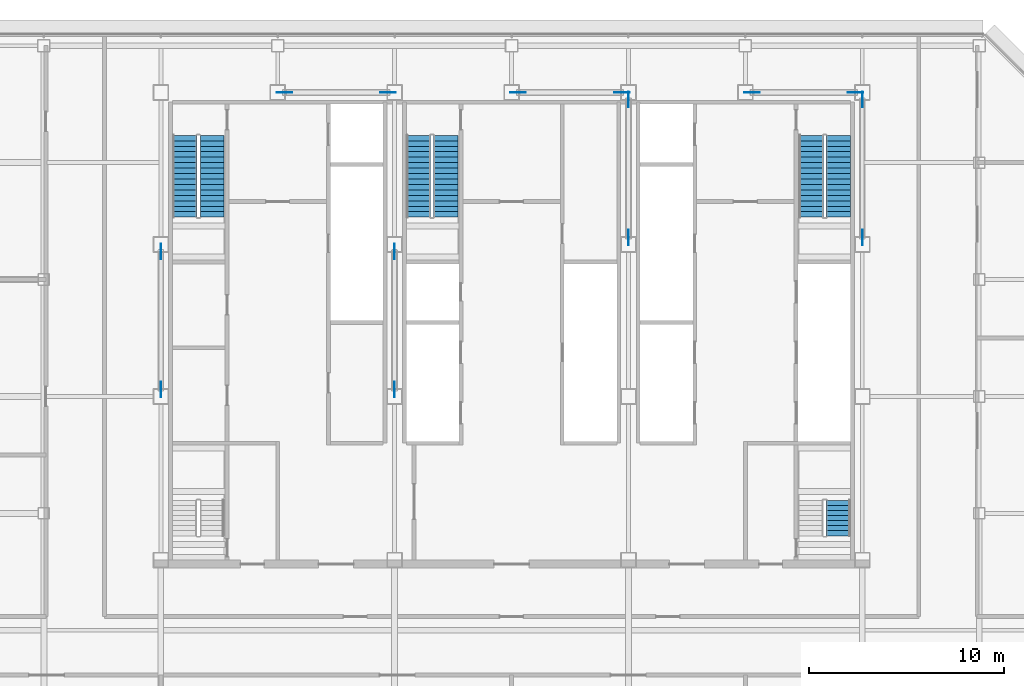
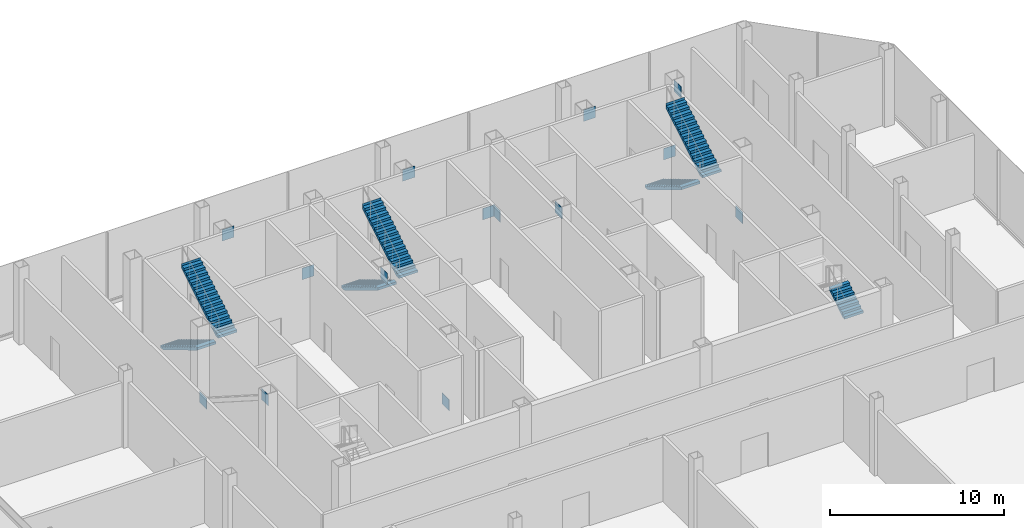
# One storey, part 22 of 25: 14 discrete accessories, 7 stair flights, 4 elements without a shape of their own.
"""IFC4 building model written with IfcOpenShell, lengths in metres."""

import ifcopenshell
import ifcopenshell.guid

model = None  # the IFC model being written
_history = None  # IfcOwnerHistory: only IFC2X3 demands one
_inside = {}  # id of a spatial element -> (the spatial element, [elements in it])
_under = {}  # id of a project, library or spatial element -> (it, [spatial elements below it])
_declared = {}  # id of a project -> (the project, [libraries it declares])
_typed = {}  # id of a type object -> (the type object, [elements of that type])
_made_of = {}  # id of a material, layer set ... -> (it, [elements and type objects made of it])


def new_model(schema):
    """Start an empty IFC model of exactly this schema.

    Asked for "IFC4X3", IfcOpenShell would pick the latest addendum, in which some entities
    have other attributes; the version numbers below select the first issue.
    IFC2X3 requires an IfcOwnerHistory on every rooted entity: one is made here for all.
    """
    global model, _history
    if schema == "IFC4X3":
        model = ifcopenshell.file(schema_version=(4, 3, 0, 0))
    else:
        model = ifcopenshell.file(schema=schema)
    _inside.clear()
    _under.clear()
    _declared.clear()
    _typed.clear()
    _made_of.clear()
    _history = None
    if model.schema == "IFC2X3":
        org = make("IfcOrganization", Name="unknown")
        user = make(
            "IfcPersonAndOrganization",
            ThePerson=make("IfcPerson", FamilyName="unknown"),
            TheOrganization=org,
        )
        app = make(
            "IfcApplication",
            ApplicationDeveloper=org,
            Version="unknown",
            ApplicationFullName="unknown",
            ApplicationIdentifier="unknown",
        )
        _history = make(
            "IfcOwnerHistory",
            OwningUser=user,
            OwningApplication=app,
            ChangeAction="ADDED",
            CreationDate=0,
        )
    return model


def make(cls, **values):
    """One entity of the class cls with the attributes given. An attribute that is None is left unset."""
    return model.create_entity(
        cls, **{name: value for name, value in values.items() if value is not None}
    )


def rooted(cls, **values):
    """An entity with a GlobalId (a new one), such as an element, a storey or a relation."""
    return make(cls, GlobalId=ifcopenshell.guid.new(), OwnerHistory=_history, **values)


def si_unit(unit_type, name, prefix=None):
    """IfcSIUnit, for example si_unit("LENGTHUNIT", "METRE", prefix="MILLI")."""
    return make("IfcSIUnit", UnitType=unit_type, Prefix=prefix, Name=name)


def assignment(units):
    """IfcUnitAssignment: the units of a project."""
    return None if units is None else make("IfcUnitAssignment", Units=units)


def point(xyz):
    """IfcCartesianPoint."""
    return None if xyz is None else make("IfcCartesianPoint", Coordinates=xyz)


def direction(xyz):
    """IfcDirection."""
    return None if xyz is None else make("IfcDirection", DirectionRatios=xyz)


def frame(location, z_axis=None, x_axis=None):
    """IfcAxis2Placement3D, a coordinate frame: its origin and axes. An axis left out is left unset."""
    return make(
        "IfcAxis2Placement3D",
        Location=point(location),
        Axis=direction(z_axis),
        RefDirection=direction(x_axis),
    )


def frame_2d(location, x_axis=None):
    """IfcAxis2Placement2D, a coordinate frame in the plane: its origin and x axis."""
    return make(
        "IfcAxis2Placement2D", Location=point(location), RefDirection=direction(x_axis)
    )


def origin():
    """The frame at (0, 0, 0) with its axes left unset."""
    return frame((0.0, 0.0, 0.0))


def origin_2d():
    """The frame at (0, 0) in the plane with its x axis left unset."""
    return frame_2d((0.0, 0.0))


def place(relative_to, where):
    """IfcLocalPlacement: puts the frame where relative to a parent placement (None: the world)."""
    return make(
        "IfcLocalPlacement", PlacementRelTo=relative_to, RelativePlacement=where
    )


def context(
    kind, dimensions, precision=None, world=None, true_north=None, identifier=None
):
    """IfcGeometricRepresentationContext, for example the 3D "Model" context."""
    return make(
        "IfcGeometricRepresentationContext",
        ContextIdentifier=identifier,
        ContextType=kind,
        CoordinateSpaceDimension=dimensions,
        Precision=precision,
        WorldCoordinateSystem=world,
        TrueNorth=true_north,
    )


def subcontext(parent, identifier, kind, view, scale=None):
    """IfcGeometricRepresentationSubContext, for example "Body" below "Model"."""
    return make(
        "IfcGeometricRepresentationSubContext",
        ContextIdentifier=identifier,
        ContextType=kind,
        ParentContext=parent,
        TargetScale=scale,
        TargetView=view,
    )


def project(units=None, contexts=None):
    """IfcProject with its units and contexts."""
    return rooted(
        "IfcProject",
        Name="project",
        RepresentationContexts=contexts,
        UnitsInContext=assignment(units),
    )


def spatial(cls, under=None, at=None, **own):
    """A site, building, storey or space (cls), placed at a placement, below another one or the project."""
    s = rooted(cls, ObjectPlacement=at, **own)
    if under is not None:
        _under.setdefault(under.id(), (under, []))[1].append(s)
    return s


def polyline(points):
    """IfcPolyline through the points."""
    return make("IfcPolyline", Points=[point(p) for p in points])


def profile(cls, at=None, kind="AREA", **sizes):
    """A parametric profile (cls). Its sizes go by their IFC names, for example OverallWidth=200.0."""
    return make(cls, ProfileType=kind, Position=at, **sizes)


def rectangle(**sizes):
    """IfcRectangleProfileDef."""
    return profile("IfcRectangleProfileDef", **sizes)


def outline(outer, holes=None, kind="AREA"):
    """IfcArbitraryClosedProfileDef: a profile drawn as a closed curve; with holes, ...WithVoids."""
    if holes is None:
        return make("IfcArbitraryClosedProfileDef", ProfileType=kind, OuterCurve=outer)
    return make(
        "IfcArbitraryProfileDefWithVoids",
        ProfileType=kind,
        OuterCurve=outer,
        InnerCurves=holes,
    )


def extrude(swept, where, along, depth):
    """IfcExtrudedAreaSolid: the profile swept, set in the frame where, extruded along a direction by depth."""
    return make(
        "IfcExtrudedAreaSolid",
        SweptArea=swept,
        Position=where,
        ExtrudedDirection=direction(along),
        Depth=depth,
    )


def shape(context_of_items, identifier, shape_type, items):
    """IfcShapeRepresentation: the items that make up one representation, for example the "Body"."""
    return make(
        "IfcShapeRepresentation",
        ContextOfItems=context_of_items,
        RepresentationIdentifier=identifier,
        RepresentationType=shape_type,
        Items=items,
    )


def material(Name=None, Category=None):
    """IfcMaterial."""
    return make("IfcMaterial", Name=Name, Category=Category)


def layer(
    of_material, thickness, ventilated=None, Name=None, Category=None, Priority=None
):
    """IfcMaterialLayer: one layer of a wall or slab, of a material (None: an air gap)."""
    return make(
        "IfcMaterialLayer",
        Material=of_material,
        LayerThickness=thickness,
        IsVentilated=ventilated,
        Name=Name,
        Category=Category,
        Priority=Priority,
    )


def layer_set(layers, Name=None):
    """IfcMaterialLayerSet."""
    return make("IfcMaterialLayerSet", MaterialLayers=layers, LayerSetName=Name)


def made_of(thing, what):
    """Note that an element or type object is made of a material, layer set ...; save() writes the relation."""
    if what is not None:
        _made_of.setdefault(what.id(), (what, []))[1].append(thing)
    return thing


def type_object(cls, material=None, **own):
    """A type object (cls), such as IfcWallType, which elements share."""
    return made_of(rooted(cls, **own), material)


def element(
    cls,
    number,
    at=None,
    inside=None,
    cuts=None,
    type_object=None,
    material=None,
    context=None,
    identifier="Body",
    shape_type=None,
    held_by="IfcProductDefinitionShape",
    body=None,
    shapes=None,
    **own,
):
    """One element of the class cls, such as IfcWall. Its Tag is "e" and its number.

    at: its placement. inside: the storey or other place that contains it. cuts: it is an
    opening in that element (IfcRelVoidsElement). A single representation is given by context,
    identifier, shape_type and body (its items); several are given by shapes. held_by: the class
    of the entity that holds the representations. save() writes the other relations.
    """
    e = rooted(cls, Tag="e%d" % number, ObjectPlacement=at, **own)
    if body is not None:
        shapes = [shape(context, identifier, shape_type, body)]
    if shapes is not None:
        e.Representation = make(held_by, Representations=shapes)
    if inside is not None:
        _inside.setdefault(inside.id(), (inside, []))[1].append(e)
    if cuts is not None:
        rooted(
            "IfcRelVoidsElement", RelatingBuildingElement=cuts, RelatedOpeningElement=e
        )
    if type_object is not None:
        _typed.setdefault(type_object.id(), (type_object, []))[1].append(e)
    return made_of(e, material)


def aggregate(whole, parts):
    """IfcRelAggregates: a whole, such as a stair, and the parts it consists of."""
    return rooted("IfcRelAggregates", RelatingObject=whole, RelatedObjects=parts)


def save(model, path):
    """Write the relations noted so far, then the file.

    IfcRelAggregates (storeys below a building ...), IfcRelContainedInSpatialStructure (elements
    in a storey), IfcRelDefinesByType, IfcRelAssociatesMaterial and IfcRelDeclares: one each for
    every whole, place, type object, material and project.
    """
    for whole, parts in _under.values():
        aggregate(whole, parts)
    for where, things in _inside.values():
        rooted(
            "IfcRelContainedInSpatialStructure",
            RelatedElements=things,
            RelatingStructure=where,
        )
    for kind, things in _typed.values():
        rooted("IfcRelDefinesByType", RelatedObjects=things, RelatingType=kind)
    for what, things in _made_of.values():
        rooted("IfcRelAssociatesMaterial", RelatedObjects=things, RelatingMaterial=what)
    for by, libraries in _declared.values():
        rooted("IfcRelDeclares", RelatingContext=by, RelatedDefinitions=libraries)
    model.write(path)


model = new_model("IFC4")

# Units and contexts
model_context = context("Model", 3, precision=1e-05, world=origin(), true_north=direction((0.0, 1.0)))
body_context = subcontext(model_context, "Body", "Model", "MODEL_VIEW")
ifc_project = project(units=[si_unit("LENGTHUNIT", "METRE"), si_unit("AREAUNIT", "SQUARE_METRE"), si_unit("VOLUMEUNIT", "CUBIC_METRE"), si_unit("PLANEANGLEUNIT", "RADIAN"), si_unit("MASSUNIT", "GRAM", prefix="KILO")], contexts=[model_context])

# Site, building, storey
site_placement = place(None, origin())
site = spatial("IfcSite", under=ifc_project, at=site_placement, CompositionType="ELEMENT")
building_placement = place(site_placement, origin())
building = spatial("IfcBuilding", under=site, at=building_placement, Name="Sorahane Residences", CompositionType="ELEMENT")
storey_placement = place(building_placement, frame((0.0, 0.0, 210.0)))
storey = spatial("IfcBuildingStorey", under=building, at=storey_placement, Name="L49", CompositionType="ELEMENT", Elevation=210.0)

# Stair, stair flights
ifc_material_1 = material(Name="Concrete C40", Category="concrete")
stair_type = type_object("IfcStairType", Name="Dog-leg stair 1250 Concrete C40", PredefinedType="HALF_TURN_STAIR", material=ifc_material_1)
stair_1_placement = place(storey_placement, origin())
stair_1 = element("IfcStair", 1, at=stair_1_placement, inside=storey, type_object=stair_type, Name="L49 Stair S1", PredefinedType="HALF_TURN_STAIR")
ifc_material_2 = material(Name="Concrete C40", Category="concrete")
stair_flight_type = type_object("IfcStairFlightType", Name="Stair flight 1250 Concrete C40", PredefinedType="STRAIGHT", material=ifc_material_2)
stair_flight_1_placement = place(storey_placement, frame((7.22509765625, 43.39990234375, 0.0), z_axis=(0.0, 0.0, 1.0), x_axis=(0.0, -1.0, 0.0)))
stair_flight_1 = element("IfcStairFlight", 2, at=stair_flight_1_placement, type_object=stair_flight_type, Name="S1 flight 1", NumberOfRisers=16, NumberOfTreads=15, PredefinedType="STRAIGHT", RiserHeight=0.16875, TreadLength=0.28, context=body_context, shape_type="SweptSolid", body=[
    extrude(outline(polyline([(-0.00146484375, 0.0), (-0.00146484375, 0.168701171875), (0.0, 0.168701171875), (0.280029296875, 0.168701171875), (0.280029296875, 0.33740234375), (0.56005859375, 0.33740234375), (0.56005859375, 0.50634765625), (0.840087890625, 0.50634765625), (0.840087890625, 0.675048828125), (1.1201171875, 0.675048828125), (1.1201171875, 0.84375), (1.39990234375, 0.84375), (1.39990234375, 1.012451171875), (1.679931640625, 1.012451171875), (1.679931640625, 1.18115234375), (1.9599609375, 1.18115234375), (1.9599609375, 1.35009765625), (2.239990234375, 1.35009765625), (2.239990234375, 1.518798828125), (2.52001953125, 1.518798828125), (2.52001953125, 1.6875), (2.800048828125, 1.6875), (2.800048828125, 1.856201171875), (3.080078125, 1.856201171875), (3.080078125, 2.02490234375), (3.360107421875, 2.02490234375), (3.360107421875, 2.19384765625), (3.639892578125, 2.19384765625), (3.639892578125, 2.362548828125), (3.919921875, 2.362548828125), (3.919921875, 2.53125), (4.199951171875, 2.53125), (4.199951171875, 2.699951171875), (4.199951171875, 2.356201171875), (3.969970703125, 2.217529296875), (3.739990234375, 2.0791015625), (3.510009765625, 1.9404296875), (3.280029296875, 1.8017578125), (3.050048828125, 1.663330078125), (2.820068359375, 1.524658203125), (2.590087890625, 1.385986328125), (2.360107421875, 1.247314453125), (2.130126953125, 1.10888671875), (1.900146484375, 0.97021484375), (1.670166015625, 0.83154296875), (1.440185546875, 0.693115234375), (1.210205078125, 0.554443359375), (0.980224609375, 0.415771484375), (0.750244140625, 0.277099609375), (0.520263671875, 0.138671875), (0.29052734375, 0.0), (-0.00146484375, 0.0)])), frame((0.0, 0.625, 0.0), z_axis=(0.0, -1.0, 0.0), x_axis=(1.0, 0.0, 0.0)), (0.0, 0.0, 1.0), 1.25),
])
stair_flight_2_placement = place(storey_placement, frame((8.625, 39.199951171875, 2.699951171875), z_axis=(0.0, 0.0, 1.0), x_axis=(0.0, 1.0, 0.0)))
stair_flight_2 = element("IfcStairFlight", 3, at=stair_flight_2_placement, type_object=stair_flight_type, Name="S1 flight 2", NumberOfRisers=16, NumberOfTreads=15, PredefinedType="STRAIGHT", RiserHeight=0.16875, TreadLength=0.28, context=body_context, shape_type="SweptSolid", body=[
    extrude(outline(polyline([(0.0, 0.0), (0.0, 0.168701171875), (0.280029296875, 0.168701171875), (0.280029296875, 0.33740234375), (0.56005859375, 0.33740234375), (0.56005859375, 0.50634765625), (0.840087890625, 0.50634765625), (0.840087890625, 0.675048828125), (1.1201171875, 0.675048828125), (1.1201171875, 0.84375), (1.39990234375, 0.84375), (1.39990234375, 1.012451171875), (1.679931640625, 1.012451171875), (1.679931640625, 1.18115234375), (1.9599609375, 1.18115234375), (1.9599609375, 1.35009765625), (2.239990234375, 1.35009765625), (2.239990234375, 1.518798828125), (2.52001953125, 1.518798828125), (2.52001953125, 1.6875), (2.800048828125, 1.6875), (2.800048828125, 1.856201171875), (3.080078125, 1.856201171875), (3.080078125, 2.02490234375), (3.360107421875, 2.02490234375), (3.360107421875, 2.19384765625), (3.639892578125, 2.19384765625), (3.639892578125, 2.362548828125), (3.919921875, 2.362548828125), (3.919921875, 2.53125), (4.199951171875, 2.53125), (4.199951171875, 2.699951171875), (4.201416015625, 2.699951171875), (4.201416015625, 2.356201171875), (3.971435546875, 2.217529296875), (3.741455078125, 2.0791015625), (3.51123046875, 1.9404296875), (3.28125, 1.8017578125), (3.05126953125, 1.663330078125), (2.821044921875, 1.524658203125), (2.591064453125, 1.385986328125), (2.361083984375, 1.247314453125), (2.130859375, 1.10888671875), (1.90087890625, 0.97021484375), (1.6708984375, 0.83154296875), (1.440673828125, 0.693115234375), (1.210693359375, 0.554443359375), (0.980712890625, 0.415771484375), (0.75048828125, 0.277099609375), (0.5205078125, 0.138671875), (0.29052734375, 0.0), (0.0, 0.0)])), frame((0.0, 0.625, 0.0), z_axis=(0.0, -1.0, 0.0), x_axis=(1.0, 0.0, 0.0)), (0.0, 0.0, 1.0), 1.25),
])
aggregate(stair_1, [stair_flight_1, stair_flight_2])

stair_2_placement = place(storey_placement, origin())
stair_2 = element("IfcStair", 4, at=stair_2_placement, inside=storey, type_object=stair_type, Name="L49 Stair S2", PredefinedType="HALF_TURN_STAIR")
stair_flight_3_placement = place(storey_placement, frame((39.375, 43.39990234375, 0.0), z_axis=(0.0, 0.0, 1.0), x_axis=(0.0, -1.0, 0.0)))
stair_flight_3 = element("IfcStairFlight", 5, at=stair_flight_3_placement, type_object=stair_flight_type, Name="S2 flight 1", NumberOfRisers=16, NumberOfTreads=15, PredefinedType="STRAIGHT", RiserHeight=0.16875, TreadLength=0.28, context=body_context, shape_type="SweptSolid", body=[
    extrude(outline(polyline([(-0.00146484375, 0.0), (-0.00146484375, 0.168701171875), (0.0, 0.168701171875), (0.280029296875, 0.168701171875), (0.280029296875, 0.33740234375), (0.56005859375, 0.33740234375), (0.56005859375, 0.50634765625), (0.840087890625, 0.50634765625), (0.840087890625, 0.675048828125), (1.1201171875, 0.675048828125), (1.1201171875, 0.84375), (1.39990234375, 0.84375), (1.39990234375, 1.012451171875), (1.679931640625, 1.012451171875), (1.679931640625, 1.18115234375), (1.9599609375, 1.18115234375), (1.9599609375, 1.35009765625), (2.239990234375, 1.35009765625), (2.239990234375, 1.518798828125), (2.52001953125, 1.518798828125), (2.52001953125, 1.6875), (2.800048828125, 1.6875), (2.800048828125, 1.856201171875), (3.080078125, 1.856201171875), (3.080078125, 2.02490234375), (3.360107421875, 2.02490234375), (3.360107421875, 2.19384765625), (3.639892578125, 2.19384765625), (3.639892578125, 2.362548828125), (3.919921875, 2.362548828125), (3.919921875, 2.53125), (4.199951171875, 2.53125), (4.199951171875, 2.699951171875), (4.199951171875, 2.356201171875), (3.969970703125, 2.217529296875), (3.739990234375, 2.0791015625), (3.510009765625, 1.9404296875), (3.280029296875, 1.8017578125), (3.050048828125, 1.663330078125), (2.820068359375, 1.524658203125), (2.590087890625, 1.385986328125), (2.360107421875, 1.247314453125), (2.130126953125, 1.10888671875), (1.900146484375, 0.97021484375), (1.670166015625, 0.83154296875), (1.440185546875, 0.693115234375), (1.210205078125, 0.554443359375), (0.980224609375, 0.415771484375), (0.750244140625, 0.277099609375), (0.520263671875, 0.138671875), (0.29052734375, 0.0), (-0.00146484375, 0.0)])), frame((0.0, 0.625, 0.0), z_axis=(0.0, -1.0, 0.0), x_axis=(1.0, 0.0, 0.0)), (0.0, 0.0, 1.0), 1.25),
])
stair_flight_4_placement = place(storey_placement, frame((40.77490234375, 39.199951171875, 2.699951171875), z_axis=(0.0, 0.0, 1.0), x_axis=(0.0, 1.0, 0.0)))
stair_flight_4 = element("IfcStairFlight", 6, at=stair_flight_4_placement, type_object=stair_flight_type, Name="S2 flight 2", NumberOfRisers=16, NumberOfTreads=15, PredefinedType="STRAIGHT", RiserHeight=0.16875, TreadLength=0.28, context=body_context, shape_type="SweptSolid", body=[
    extrude(outline(polyline([(0.0, 0.0), (0.0, 0.168701171875), (0.280029296875, 0.168701171875), (0.280029296875, 0.33740234375), (0.56005859375, 0.33740234375), (0.56005859375, 0.50634765625), (0.840087890625, 0.50634765625), (0.840087890625, 0.675048828125), (1.1201171875, 0.675048828125), (1.1201171875, 0.84375), (1.39990234375, 0.84375), (1.39990234375, 1.012451171875), (1.679931640625, 1.012451171875), (1.679931640625, 1.18115234375), (1.9599609375, 1.18115234375), (1.9599609375, 1.35009765625), (2.239990234375, 1.35009765625), (2.239990234375, 1.518798828125), (2.52001953125, 1.518798828125), (2.52001953125, 1.6875), (2.800048828125, 1.6875), (2.800048828125, 1.856201171875), (3.080078125, 1.856201171875), (3.080078125, 2.02490234375), (3.360107421875, 2.02490234375), (3.360107421875, 2.19384765625), (3.639892578125, 2.19384765625), (3.639892578125, 2.362548828125), (3.919921875, 2.362548828125), (3.919921875, 2.53125), (4.199951171875, 2.53125), (4.199951171875, 2.699951171875), (4.201416015625, 2.699951171875), (4.201416015625, 2.356201171875), (3.971435546875, 2.217529296875), (3.741455078125, 2.0791015625), (3.51123046875, 1.9404296875), (3.28125, 1.8017578125), (3.05126953125, 1.663330078125), (2.821044921875, 1.524658203125), (2.591064453125, 1.385986328125), (2.361083984375, 1.247314453125), (2.130859375, 1.10888671875), (1.90087890625, 0.97021484375), (1.6708984375, 0.83154296875), (1.440673828125, 0.693115234375), (1.210693359375, 0.554443359375), (0.980712890625, 0.415771484375), (0.75048828125, 0.277099609375), (0.5205078125, 0.138671875), (0.29052734375, 0.0), (0.0, 0.0)])), frame((0.0, 0.625, 0.0), z_axis=(0.0, -1.0, 0.0), x_axis=(1.0, 0.0, 0.0)), (0.0, 0.0, 1.0), 1.25),
])
aggregate(stair_2, [stair_flight_3, stair_flight_4])

stair_3_placement = place(storey_placement, origin())
stair_3 = element("IfcStair", 7, at=stair_3_placement, inside=storey, type_object=stair_type, Name="L49 Stair S3", PredefinedType="HALF_TURN_STAIR")
stair_flight_5_placement = place(storey_placement, frame((19.22509765625, 43.39990234375, 0.0), z_axis=(0.0, 0.0, 1.0), x_axis=(0.0, -1.0, 0.0)))
stair_flight_5 = element("IfcStairFlight", 8, at=stair_flight_5_placement, type_object=stair_flight_type, Name="S3 flight 1", NumberOfRisers=16, NumberOfTreads=15, PredefinedType="STRAIGHT", RiserHeight=0.16875, TreadLength=0.28, context=body_context, shape_type="SweptSolid", body=[
    extrude(outline(polyline([(-0.00146484375, 0.0), (-0.00146484375, 0.168701171875), (0.0, 0.168701171875), (0.280029296875, 0.168701171875), (0.280029296875, 0.33740234375), (0.56005859375, 0.33740234375), (0.56005859375, 0.50634765625), (0.840087890625, 0.50634765625), (0.840087890625, 0.675048828125), (1.1201171875, 0.675048828125), (1.1201171875, 0.84375), (1.39990234375, 0.84375), (1.39990234375, 1.012451171875), (1.679931640625, 1.012451171875), (1.679931640625, 1.18115234375), (1.9599609375, 1.18115234375), (1.9599609375, 1.35009765625), (2.239990234375, 1.35009765625), (2.239990234375, 1.518798828125), (2.52001953125, 1.518798828125), (2.52001953125, 1.6875), (2.800048828125, 1.6875), (2.800048828125, 1.856201171875), (3.080078125, 1.856201171875), (3.080078125, 2.02490234375), (3.360107421875, 2.02490234375), (3.360107421875, 2.19384765625), (3.639892578125, 2.19384765625), (3.639892578125, 2.362548828125), (3.919921875, 2.362548828125), (3.919921875, 2.53125), (4.199951171875, 2.53125), (4.199951171875, 2.699951171875), (4.199951171875, 2.356201171875), (3.969970703125, 2.217529296875), (3.739990234375, 2.0791015625), (3.510009765625, 1.9404296875), (3.280029296875, 1.8017578125), (3.050048828125, 1.663330078125), (2.820068359375, 1.524658203125), (2.590087890625, 1.385986328125), (2.360107421875, 1.247314453125), (2.130126953125, 1.10888671875), (1.900146484375, 0.97021484375), (1.670166015625, 0.83154296875), (1.440185546875, 0.693115234375), (1.210205078125, 0.554443359375), (0.980224609375, 0.415771484375), (0.750244140625, 0.277099609375), (0.520263671875, 0.138671875), (0.29052734375, 0.0), (-0.00146484375, 0.0)])), frame((0.0, 0.625, 0.0), z_axis=(0.0, -1.0, 0.0), x_axis=(1.0, 0.0, 0.0)), (0.0, 0.0, 1.0), 1.25),
])
stair_flight_6_placement = place(storey_placement, frame((20.625, 39.199951171875, 2.699951171875), z_axis=(0.0, 0.0, 1.0), x_axis=(0.0, 1.0, 0.0)))
stair_flight_6 = element("IfcStairFlight", 9, at=stair_flight_6_placement, type_object=stair_flight_type, Name="S3 flight 2", NumberOfRisers=16, NumberOfTreads=15, PredefinedType="STRAIGHT", RiserHeight=0.16875, TreadLength=0.28, context=body_context, shape_type="SweptSolid", body=[
    extrude(outline(polyline([(0.0, 0.0), (0.0, 0.168701171875), (0.280029296875, 0.168701171875), (0.280029296875, 0.33740234375), (0.56005859375, 0.33740234375), (0.56005859375, 0.50634765625), (0.840087890625, 0.50634765625), (0.840087890625, 0.675048828125), (1.1201171875, 0.675048828125), (1.1201171875, 0.84375), (1.39990234375, 0.84375), (1.39990234375, 1.012451171875), (1.679931640625, 1.012451171875), (1.679931640625, 1.18115234375), (1.9599609375, 1.18115234375), (1.9599609375, 1.35009765625), (2.239990234375, 1.35009765625), (2.239990234375, 1.518798828125), (2.52001953125, 1.518798828125), (2.52001953125, 1.6875), (2.800048828125, 1.6875), (2.800048828125, 1.856201171875), (3.080078125, 1.856201171875), (3.080078125, 2.02490234375), (3.360107421875, 2.02490234375), (3.360107421875, 2.19384765625), (3.639892578125, 2.19384765625), (3.639892578125, 2.362548828125), (3.919921875, 2.362548828125), (3.919921875, 2.53125), (4.199951171875, 2.53125), (4.199951171875, 2.699951171875), (4.201416015625, 2.699951171875), (4.201416015625, 2.356201171875), (3.971435546875, 2.217529296875), (3.741455078125, 2.0791015625), (3.51123046875, 1.9404296875), (3.28125, 1.8017578125), (3.05126953125, 1.663330078125), (2.821044921875, 1.524658203125), (2.591064453125, 1.385986328125), (2.361083984375, 1.247314453125), (2.130859375, 1.10888671875), (1.90087890625, 0.97021484375), (1.6708984375, 0.83154296875), (1.440673828125, 0.693115234375), (1.210693359375, 0.554443359375), (0.980712890625, 0.415771484375), (0.75048828125, 0.277099609375), (0.5205078125, 0.138671875), (0.29052734375, 0.0), (0.0, 0.0)])), frame((0.0, 0.625, 0.0), z_axis=(0.0, -1.0, 0.0), x_axis=(1.0, 0.0, 0.0)), (0.0, 0.0, 1.0), 1.25),
])
aggregate(stair_3, [stair_flight_5, stair_flight_6])

# Stair, stair flight
stair_4_placement = place(storey_placement, origin())
stair_4 = element("IfcStair", 10, at=stair_4_placement, inside=storey, type_object=stair_type, Name="L49 Stair S5", PredefinedType="HALF_TURN_STAIR")
stair_flight_7_placement = place(storey_placement, frame((40.77490234375, 22.85009765625, 2.699951171875), z_axis=(0.0, 0.0, 1.0), x_axis=(0.0, 1.0, 0.0)))
stair_flight_7 = element("IfcStairFlight", 11, at=stair_flight_7_placement, type_object=stair_flight_type, Name="S5 flight 3", NumberOfRisers=8, NumberOfTreads=7, PredefinedType="STRAIGHT", RiserHeight=0.16875, TreadLength=0.26, context=body_context, shape_type="SweptSolid", body=[
    extrude(outline(polyline([(0.0, 0.0), (0.0, 0.002197265625), (0.0, 0.004150390625), (0.0, 0.00634765625), (0.0, 0.00830078125), (0.0, 0.010498046875), (0.0, 0.012451171875), (0.0, 0.0146484375), (0.0, 0.0166015625), (0.0, 0.018798828125), (0.0, 0.020751953125), (0.0, 0.02294921875), (0.0, 0.02490234375), (0.0, 0.027099609375), (0.0, 0.029052734375), (0.0, 0.03125), (0.0, 0.033447265625), (0.0, 0.035400390625), (0.0, 0.03759765625), (0.0, 0.03955078125), (0.0, 0.041748046875), (0.0, 0.043701171875), (0.0, 0.0458984375), (0.0, 0.0478515625), (0.0, 0.050048828125), (0.0, 0.052001953125), (0.0, 0.05419921875), (0.0, 0.05615234375), (0.0, 0.058349609375), (0.0, 0.060302734375), (0.0, 0.0625), (0.0, 0.064697265625), (0.0, 0.066650390625), (0.0, 0.06884765625), (0.0, 0.07080078125), (0.0, 0.072998046875), (0.0, 0.074951171875), (0.0, 0.0771484375), (0.0, 0.0791015625), (0.0, 0.081298828125), (0.0, 0.083251953125), (0.0, 0.08544921875), (0.0, 0.08740234375), (0.0, 0.089599609375), (0.0, 0.091552734375), (0.0, 0.09375), (0.0, 0.095947265625), (0.0, 0.097900390625), (0.0, 0.10009765625), (0.0, 0.10205078125), (0.0, 0.104248046875), (0.0, 0.106201171875), (0.0, 0.1083984375), (0.0, 0.1103515625), (0.0, 0.112548828125), (0.0, 0.114501953125), (0.0, 0.11669921875), (0.0, 0.11865234375), (0.0, 0.120849609375), (0.0, 0.122802734375), (0.0, 0.125), (0.0, 0.127197265625), (0.0, 0.129150390625), (0.0, 0.13134765625), (0.0, 0.13330078125), (0.0, 0.135498046875), (0.0, 0.137451171875), (0.0, 0.1396484375), (0.0, 0.1416015625), (0.0, 0.143798828125), (0.0, 0.145751953125), (0.0, 0.14794921875), (0.0, 0.14990234375), (0.0, 0.152099609375), (0.0, 0.154052734375), (0.0, 0.15625), (0.0, 0.158447265625), (0.0, 0.160400390625), (0.0, 0.16259765625), (0.0, 0.16455078125), (0.0, 0.166748046875), (0.0, 0.168701171875), (0.260009765625, 0.168701171875), (0.260009765625, 0.33740234375), (0.52001953125, 0.33740234375), (0.52001953125, 0.50634765625), (0.780029296875, 0.50634765625), (0.780029296875, 0.675048828125), (1.0400390625, 0.675048828125), (1.0400390625, 0.84375), (1.300048828125, 0.84375), (1.300048828125, 1.012451171875), (1.56005859375, 1.012451171875), (1.56005859375, 1.18115234375), (1.820068359375, 1.18115234375), (1.820068359375, 1.35009765625), (1.820068359375, 1.34619140625), (1.820068359375, 1.34228515625), (1.820068359375, 1.33837890625), (1.820068359375, 1.334716796875), (1.820068359375, 1.330810546875), (1.820068359375, 1.326904296875), (1.820068359375, 1.322998046875), (1.820068359375, 1.319091796875), (1.820068359375, 1.3154296875), (1.820068359375, 1.3115234375), (1.820068359375, 1.3076171875), (1.820068359375, 1.3037109375), (1.820068359375, 1.300048828125), (1.820068359375, 1.296142578125), (1.820068359375, 1.292236328125), (1.820068359375, 1.288330078125), (1.820068359375, 1.284423828125), (1.820068359375, 1.28076171875), (1.820068359375, 1.27685546875), (1.820068359375, 1.27294921875), (1.820068359375, 1.26904296875), (1.820068359375, 1.265380859375), (1.820068359375, 1.261474609375), (1.820068359375, 1.257568359375), (1.820068359375, 1.253662109375), (1.820068359375, 1.249755859375), (1.820068359375, 1.24609375), (1.820068359375, 1.2421875), (1.820068359375, 1.23828125), (1.820068359375, 1.234375), (1.820068359375, 1.230712890625), (1.820068359375, 1.226806640625), (1.820068359375, 1.222900390625), (1.820068359375, 1.218994140625), (1.820068359375, 1.215087890625), (1.820068359375, 1.21142578125), (1.820068359375, 1.20751953125), (1.820068359375, 1.20361328125), (1.820068359375, 1.19970703125), (1.820068359375, 1.196044921875), (1.820068359375, 1.192138671875), (1.820068359375, 1.188232421875), (1.820068359375, 1.184326171875), (1.820068359375, 1.1806640625), (1.820068359375, 1.1767578125), (1.820068359375, 1.1728515625), (1.820068359375, 1.1689453125), (1.820068359375, 1.1650390625), (1.820068359375, 1.161376953125), (1.820068359375, 1.157470703125), (1.820068359375, 1.153564453125), (1.820068359375, 1.149658203125), (1.820068359375, 1.14599609375), (1.820068359375, 1.14208984375), (1.820068359375, 1.13818359375), (1.820068359375, 1.13427734375), (1.820068359375, 1.13037109375), (1.820068359375, 1.126708984375), (1.820068359375, 1.122802734375), (1.820068359375, 1.118896484375), (1.820068359375, 1.114990234375), (1.820068359375, 1.111328125), (1.820068359375, 1.107421875), (1.820068359375, 1.103515625), (1.820068359375, 1.099609375), (1.820068359375, 1.095703125), (1.820068359375, 1.092041015625), (1.820068359375, 1.088134765625), (1.820068359375, 1.084228515625), (1.820068359375, 1.080322265625), (1.820068359375, 1.07666015625), (1.820068359375, 1.07275390625), (1.820068359375, 1.06884765625), (1.820068359375, 1.06494140625), (1.820068359375, 1.061279296875), (1.820068359375, 1.057373046875), (1.820068359375, 1.053466796875), (1.820068359375, 1.049560546875), (1.820068359375, 1.045654296875), (1.820068359375, 1.0419921875), (1.820068359375, 1.0380859375), (1.6201171875, 0.908203125), (1.420166015625, 0.778564453125), (1.22021484375, 0.648681640625), (1.020263671875, 0.51904296875), (0.8203125, 0.38916015625), (0.620361328125, 0.259521484375), (0.420654296875, 0.129638671875), (0.220703125, 0.0), (0.0, 0.0)])), frame((0.0, 0.625, 0.0), z_axis=(0.0, -1.0, 0.0), x_axis=(1.0, 0.0, 0.0)), (0.0, 0.0, 1.0), 1.25),
])
aggregate(stair_4, [stair_flight_7])

# Discrete accessories
ifc_material_3 = material(Name="Steel Q355B", Category="steel")
ifc_layer = layer(ifc_material_3, 0.02490234375)
ifc_layer_set = layer_set([ifc_layer], Name="Node plate Steel Q355B 25")
discrete_accessory_type = type_object("IfcDiscreteAccessoryType", Name="Node plate Steel Q355B 25", PredefinedType="BRACKET", material=ifc_layer_set)
for number, where, z_axis, x_axis, name in (
    (12, (6.0, 37.448486328125, -0.28076171875), (0.0, 0.0, 1.0), (0.0, 1.0, 0.0), "Node plate L49 br"),
    (13, (6.0, 30.3515625, 4.2509765625), (0.0, 0.0, 1.0), (0.0, 1.0, 0.0), "Node plate L49 br"),
    (14, (18.0, 30.3515625, -0.28076171875), (0.0, 0.0, 1.0), (0.0, 1.0, 0.0), "Node plate L49 br"),
    (15, (18.0, 37.448486328125, 4.2509765625), (0.0, 0.0, 1.0), (0.0, 1.0, 0.0), "Node plate L49 br"),
    (16, (30.0, 45.248291015625, -0.28076171875), (0.0, 0.0, 1.0), (0.0, 1.0, 0.0), "Node plate L49 br"),
    (17, (30.0, 38.151611328125, 4.2509765625), (0.0, 0.0, 1.0), (0.0, 1.0, 0.0), "Node plate L49 br"),
    (18, (42.0, 38.151611328125, -0.28076171875), (0.0, 0.0, 1.0), (0.0, 1.0, 0.0), "Node plate L49 br"),
    (19, (42.0, 45.248291015625, 4.2509765625), (0.0, 0.0, 1.0), (0.0, 1.0, 0.0), "Node plate L49 br"),
    (20, (17.65869140625, 45.60009765625, -0.30029296875), (0.0, 0.0, 1.0), (1.0, 0.0, 0.0), "Node plate L49 br"),
    (21, (29.65869140625, 45.60009765625, -0.30029296875), (0.0, 0.0, 1.0), (1.0, 0.0, 0.0), "Node plate L49 br"),
    (22, (41.65869140625, 45.60009765625, -0.30029296875), (0.0, 0.0, 1.0), (1.0, 0.0, 0.0), "Node plate L49 br"),
    (23, (12.34130859375, 45.60009765625, 4.2705078125), (0.0, 0.0, 1.0), (1.0, 0.0, 0.0), "Node plate L49 br"),
    (24, (24.34130859375, 45.60009765625, 4.2705078125), (0.0, 0.0, 1.0), (1.0, 0.0, 0.0), "Node plate L49 br"),
    (25, (36.34130859375, 45.60009765625, 4.2705078125), (0.0, 0.0, 1.0), (1.0, 0.0, 0.0), "Node plate L49 br"),
):
    element("IfcDiscreteAccessory", number, at=place(storey_placement, frame(where, z_axis=z_axis, x_axis=x_axis)), inside=storey, type_object=discrete_accessory_type, Name=name, PredefinedType="BRACKET", context=body_context, shape_type="SweptSolid", body=[
        extrude(rectangle(XDim=0.800048828125, YDim=0.02490234375, at=origin_2d()), origin(), (0.0, 0.0, 1.0), 0.800048828125),
    ])

save(model, "model.ifc")
